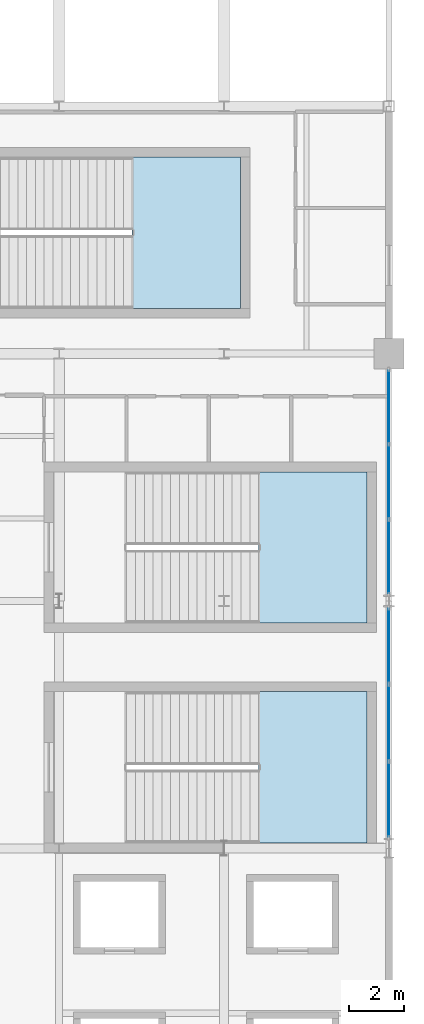
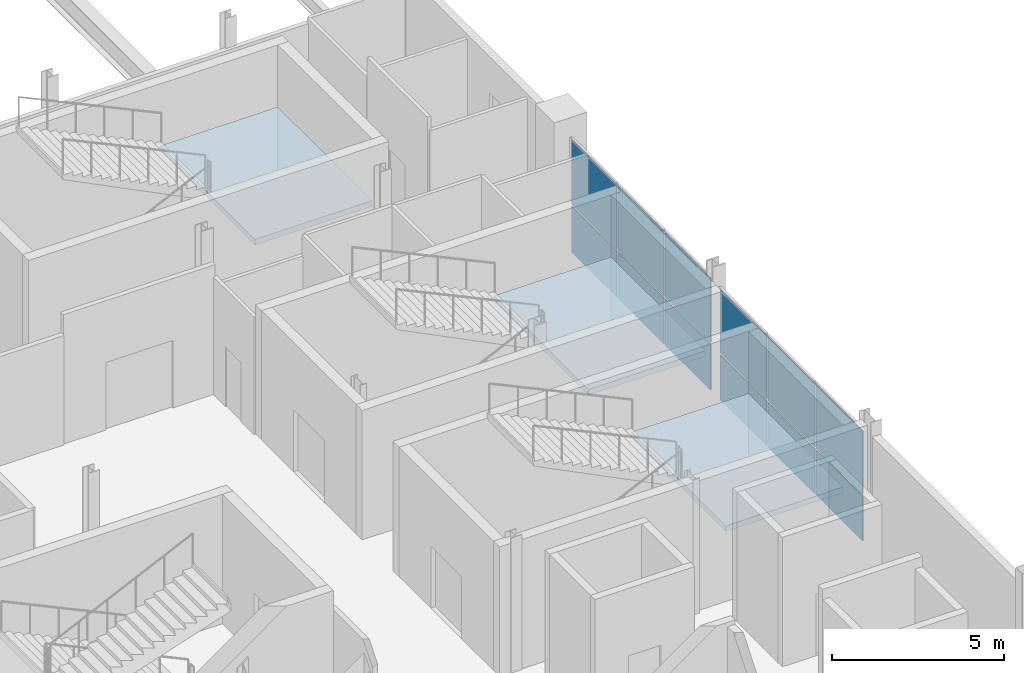
# One storey, part 175 of 224: 12 plates, 3 slabs, 5 elements without a shape of their own.
"""IFC4 building model written with IfcOpenShell, lengths in metres."""

from ifc_helpers import new_model, si_unit, direction, frame, origin, origin_2d, place, context, subcontext, project, spatial, polyline, rectangle, outline, extrude, material, layer, layer_set, type_object, element, aggregate, save


model = new_model("IFC4")

# Units and contexts
model_context = context("Model", 3, precision=1e-05, world=origin(), true_north=direction((0.0, 1.0)))
body_context = subcontext(model_context, "Body", "Model", "MODEL_VIEW")
ifc_project = project(units=[si_unit("LENGTHUNIT", "METRE"), si_unit("AREAUNIT", "SQUARE_METRE"), si_unit("VOLUMEUNIT", "CUBIC_METRE"), si_unit("PLANEANGLEUNIT", "RADIAN"), si_unit("MASSUNIT", "GRAM", prefix="KILO")], contexts=[model_context])

# Site, building, storey
site_placement = place(None, origin())
site = spatial("IfcSite", under=ifc_project, at=site_placement, CompositionType="ELEMENT")
building_placement = place(site_placement, origin())
building = spatial("IfcBuilding", under=site, at=building_placement, Name="Qamarlyn Nura Convention Centre", CompositionType="ELEMENT")
storey_placement = place(building_placement, frame((0.0, 0.0, 10.800048828125)))
storey = spatial("IfcBuildingStorey", under=building, at=storey_placement, Name="L02", CompositionType="ELEMENT", Elevation=10.800048828125)

# Curtain wall, plates
ifc_material_1 = material(Name="Double-silver low-E insulated glass", Category="glass")
ifc_layer_1 = layer(ifc_material_1, 0.179931640625, Name="CW-UNIT-95")
ifc_layer_set_1 = layer_set([ifc_layer_1], Name="Double-silver low-E insulated glass")
curtain_wall_type_1 = type_object("IfcCurtainWallType", Name="CW-UNIT-95", PredefinedType="NOTDEFINED", material=ifc_layer_set_1)
curtain_wall_1_placement = place(storey_placement, origin())
curtain_wall_1 = element("IfcCurtainWall", 1, at=curtain_wall_1_placement, inside=storey, type_object=curtain_wall_type_1, Name="L02 unitised curtain wall EAST-8-1", PredefinedType="NOTDEFINED")
ifc_layer_2 = layer(ifc_material_1, 0.028076171875, Name="CWP-VIS-28")
ifc_layer_set_2 = layer_set([ifc_layer_2], Name="Double-silver low-E insulated glass")
plate_type = type_object("IfcPlateType", Name="CWP-VIS-28", PredefinedType="CURTAIN_PANEL", material=ifc_layer_set_2)
plate_1_placement = place(storey_placement, frame((192.0, 70.36328125, 0.06982421875), z_axis=(0.0, 0.0, 1.0), x_axis=(0.0, -1.0, 0.0)))
plate_1 = element("IfcPlate", 2, at=plate_1_placement, type_object=plate_type, Name="CW95 panel 1.1", PredefinedType="CURTAIN_PANEL", context=body_context, shape_type="SweptSolid", body=[
    extrude(rectangle(XDim=2.708251953125, YDim=0.028076171875, at=origin_2d()), origin(), (0.0, 0.0, 1.0), 1.593994140625),
])
plate_2_placement = place(storey_placement, frame((192.0, 70.36328125, 1.73388671875), z_axis=(0.0, 0.0, 1.0), x_axis=(0.0, -1.0, 0.0)))
plate_2 = element("IfcPlate", 3, at=plate_2_placement, type_object=plate_type, Name="CW95 panel 1.2", PredefinedType="CURTAIN_PANEL", context=body_context, shape_type="SweptSolid", body=[
    extrude(rectangle(XDim=2.708251953125, YDim=0.028076171875, at=origin_2d()), origin(), (0.0, 0.0, 1.0), 2.241943359375),
])
plate_3_placement = place(storey_placement, frame((192.0, 67.5673828125, 0.06982421875), z_axis=(0.0, 0.0, 1.0), x_axis=(0.0, -1.0, 0.0)))
plate_3 = element("IfcPlate", 4, at=plate_3_placement, type_object=plate_type, Name="CW95 panel 2.1", PredefinedType="CURTAIN_PANEL", context=body_context, shape_type="SweptSolid", body=[
    extrude(rectangle(XDim=2.743408203125, YDim=0.028076171875, at=origin_2d()), origin(), (0.0, 0.0, 1.0), 1.593994140625),
])
plate_4_placement = place(storey_placement, frame((192.0, 67.5673828125, 1.73388671875), z_axis=(0.0, 0.0, 1.0), x_axis=(0.0, -1.0, 0.0)))
plate_4 = element("IfcPlate", 5, at=plate_4_placement, type_object=plate_type, Name="CW95 panel 2.2", PredefinedType="CURTAIN_PANEL", context=body_context, shape_type="SweptSolid", body=[
    extrude(rectangle(XDim=2.743408203125, YDim=0.028076171875, at=origin_2d()), origin(), (0.0, 0.0, 1.0), 2.241943359375),
])
plate_5_placement = place(storey_placement, frame((192.0, 64.771728515625, 0.06982421875), z_axis=(0.0, 0.0, 1.0), x_axis=(0.0, -1.0, 0.0)))
plate_5 = element("IfcPlate", 6, at=plate_5_placement, type_object=plate_type, Name="CW95 panel 3.1", PredefinedType="CURTAIN_PANEL", context=body_context, shape_type="SweptSolid", body=[
    extrude(rectangle(XDim=2.708251953125, YDim=0.028076171875, at=origin_2d()), origin(), (0.0, 0.0, 1.0), 1.593994140625),
])
plate_6_placement = place(storey_placement, frame((192.0, 64.771728515625, 1.73388671875), z_axis=(0.0, 0.0, 1.0), x_axis=(0.0, -1.0, 0.0)))
plate_6 = element("IfcPlate", 7, at=plate_6_placement, type_object=plate_type, Name="CW95 panel 3.2", PredefinedType="CURTAIN_PANEL", context=body_context, shape_type="SweptSolid", body=[
    extrude(rectangle(XDim=2.708251953125, YDim=0.028076171875, at=origin_2d()), origin(), (0.0, 0.0, 1.0), 2.241943359375),
])
aggregate(curtain_wall_1, [plate_1, plate_2, plate_3, plate_4, plate_5, plate_6])

ifc_layer_3 = layer(ifc_material_1, 0.179931640625, Name="CW-UNIT-94")
ifc_layer_set_3 = layer_set([ifc_layer_3], Name="Double-silver low-E insulated glass")
curtain_wall_type_2 = type_object("IfcCurtainWallType", Name="CW-UNIT-94", PredefinedType="NOTDEFINED", material=ifc_layer_set_3)
curtain_wall_2_placement = place(storey_placement, origin())
curtain_wall_2 = element("IfcCurtainWall", 8, at=curtain_wall_2_placement, inside=storey, type_object=curtain_wall_type_2, Name="L02 unitised curtain wall EAST-9-1", PredefinedType="NOTDEFINED")
plate_7_placement = place(storey_placement, frame((192.0, 79.060791015625, 0.06494140625), z_axis=(0.0, 0.0, 1.0), x_axis=(0.0, -1.0, 0.0)))
plate_7 = element("IfcPlate", 9, at=plate_7_placement, type_object=plate_type, Name="CW94 panel 1.1", PredefinedType="CURTAIN_PANEL", context=body_context, shape_type="SweptSolid", body=[
    extrude(rectangle(XDim=2.6484375, YDim=0.028076171875, at=origin_2d()), origin(), (0.0, 0.0, 1.0), 1.632568359375),
])
plate_8_placement = place(storey_placement, frame((192.0, 79.060791015625, 1.762451171875), z_axis=(0.0, 0.0, 1.0), x_axis=(0.0, -1.0, 0.0)))
plate_8 = element("IfcPlate", 10, at=plate_8_placement, type_object=plate_type, Name="CW94 panel 1.2", PredefinedType="CURTAIN_PANEL", context=body_context, shape_type="SweptSolid", body=[
    extrude(rectangle(XDim=2.6484375, YDim=0.028076171875, at=origin_2d()), origin(), (0.0, 0.0, 1.0), 2.29150390625),
])
plate_9_placement = place(storey_placement, frame((192.0, 76.331298828125, 0.06494140625), z_axis=(0.0, 0.0, 1.0), x_axis=(0.0, -1.0, 0.0)))
plate_9 = element("IfcPlate", 11, at=plate_9_placement, type_object=plate_type, Name="CW94 panel 2.1", PredefinedType="CURTAIN_PANEL", context=body_context, shape_type="SweptSolid", body=[
    extrude(rectangle(XDim=2.680908203125, YDim=0.028076171875, at=origin_2d()), origin(), (0.0, 0.0, 1.0), 1.632568359375),
])
plate_10_placement = place(storey_placement, frame((192.0, 76.331298828125, 1.762451171875), z_axis=(0.0, 0.0, 1.0), x_axis=(0.0, -1.0, 0.0)))
plate_10 = element("IfcPlate", 12, at=plate_10_placement, type_object=plate_type, Name="CW94 panel 2.2", PredefinedType="CURTAIN_PANEL", context=body_context, shape_type="SweptSolid", body=[
    extrude(rectangle(XDim=2.680908203125, YDim=0.028076171875, at=origin_2d()), origin(), (0.0, 0.0, 1.0), 2.29150390625),
])
plate_11_placement = place(storey_placement, frame((192.0, 73.6015625, 0.06494140625), z_axis=(0.0, 0.0, 1.0), x_axis=(0.0, -1.0, 0.0)))
plate_11 = element("IfcPlate", 13, at=plate_11_placement, type_object=plate_type, Name="CW94 panel 3.1", PredefinedType="CURTAIN_PANEL", context=body_context, shape_type="SweptSolid", body=[
    extrude(rectangle(XDim=2.6484375, YDim=0.028076171875, at=origin_2d()), origin(), (0.0, 0.0, 1.0), 1.632568359375),
])
plate_12_placement = place(storey_placement, frame((192.0, 73.6015625, 1.762451171875), z_axis=(0.0, 0.0, 1.0), x_axis=(0.0, -1.0, 0.0)))
plate_12 = element("IfcPlate", 14, at=plate_12_placement, type_object=plate_type, Name="CW94 panel 3.2", PredefinedType="CURTAIN_PANEL", context=body_context, shape_type="SweptSolid", body=[
    extrude(rectangle(XDim=2.6484375, YDim=0.028076171875, at=origin_2d()), origin(), (0.0, 0.0, 1.0), 2.29150390625),
])
aggregate(curtain_wall_2, [plate_7, plate_8, plate_9, plate_10, plate_11, plate_12])

# Stair, slab
ifc_material_2 = material(Name="Concrete C40/50", Category="concrete")
stair_type = type_object("IfcStairType", Name="STAIR-EXIT-48", PredefinedType="HALF_TURN_STAIR", material=ifc_material_2)
stair_1_placement = place(storey_placement, origin())
stair_1 = element("IfcStair", 15, at=stair_1_placement, inside=storey, type_object=stair_type, Name="L02 Enclosed exit stair ST-13", PredefinedType="HALF_TURN_STAIR")
ifc_layer_4 = layer(ifc_material_2, 0.199951171875, Name="SL-LAND-200")
ifc_layer_set_4 = layer_set([ifc_layer_4], Name="Concrete C40/50")
slab_type = type_object("IfcSlabType", Name="SL-LAND-200", PredefinedType="LANDING", material=ifc_layer_set_4)
slab_1_placement = place(storey_placement, frame((0.0, 0.0, 2.199951171875)))
slab_1 = element("IfcSlab", 16, at=slab_1_placement, type_object=slab_type, Name="ST-13 landing 1", PredefinedType="LANDING", context=body_context, shape_type="SweptSolid", body=[
    extrude(outline(polyline([(187.260009765625, 63.199951171875), (191.199951171875, 63.199951171875), (191.199951171875, 68.699951171875), (187.260009765625, 68.699951171875), (187.260009765625, 63.199951171875)])), origin(), (0.0, 0.0, 1.0), 0.199951171875),
])
aggregate(stair_1, [slab_1])

stair_2_placement = place(storey_placement, origin())
stair_2 = element("IfcStair", 17, at=stair_2_placement, inside=storey, type_object=stair_type, Name="L02 Enclosed exit stair ST-14", PredefinedType="HALF_TURN_STAIR")
slab_2_placement = place(storey_placement, frame((0.0, 0.0, 2.199951171875)))
slab_2 = element("IfcSlab", 18, at=slab_2_placement, type_object=slab_type, Name="ST-14 landing 1", PredefinedType="LANDING", context=body_context, shape_type="SweptSolid", body=[
    extrude(outline(polyline([(187.260009765625, 71.199951171875), (191.199951171875, 71.199951171875), (191.199951171875, 76.699951171875), (187.260009765625, 76.699951171875), (187.260009765625, 71.199951171875)])), origin(), (0.0, 0.0, 1.0), 0.199951171875),
])
aggregate(stair_2, [slab_2])

stair_3_placement = place(storey_placement, origin())
stair_3 = element("IfcStair", 19, at=stair_3_placement, inside=storey, type_object=stair_type, Name="L02 Enclosed exit stair ST-17", PredefinedType="HALF_TURN_STAIR")
slab_3_placement = place(storey_placement, frame((0.0, 0.0, 2.199951171875)))
slab_3 = element("IfcSlab", 20, at=slab_3_placement, type_object=slab_type, Name="ST-17 landing 1", PredefinedType="LANDING", context=body_context, shape_type="SweptSolid", body=[
    extrude(outline(polyline([(182.659912109375, 82.64990234375), (186.60009765625, 82.64990234375), (186.60009765625, 88.14990234375), (182.659912109375, 88.14990234375), (182.659912109375, 82.64990234375)])), origin(), (0.0, 0.0, 1.0), 0.199951171875),
])
aggregate(stair_3, [slab_3])

save(model, "model.ifc")
